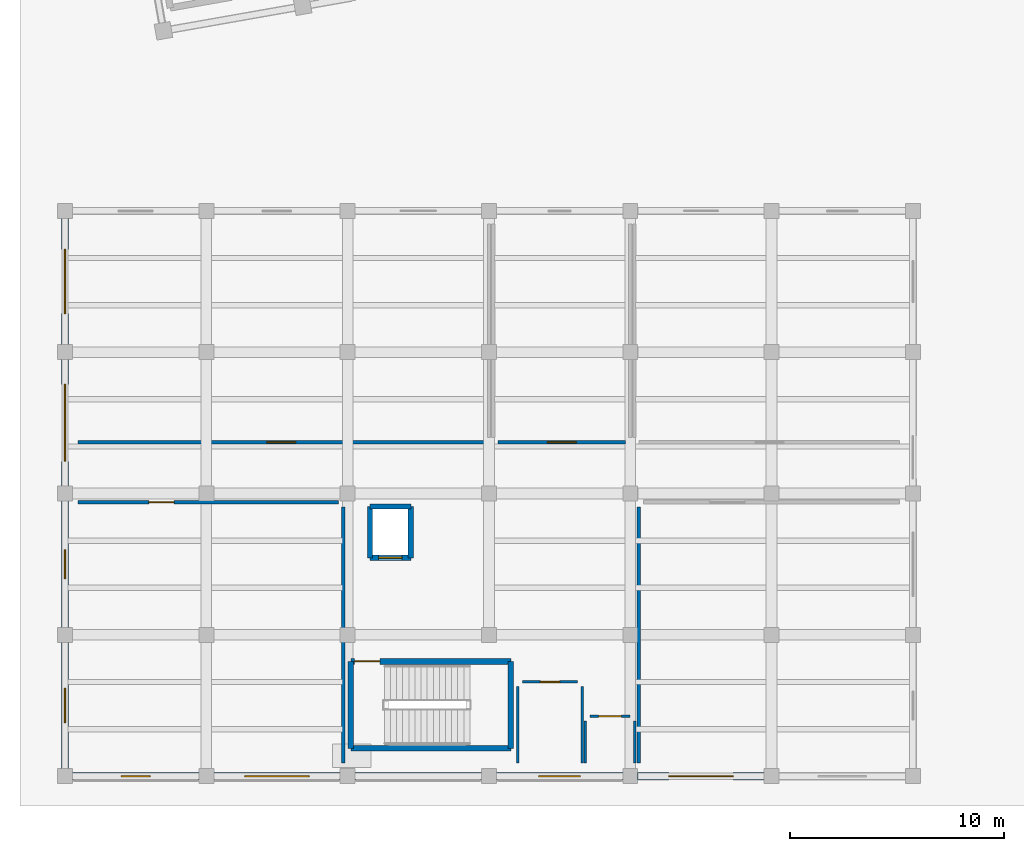
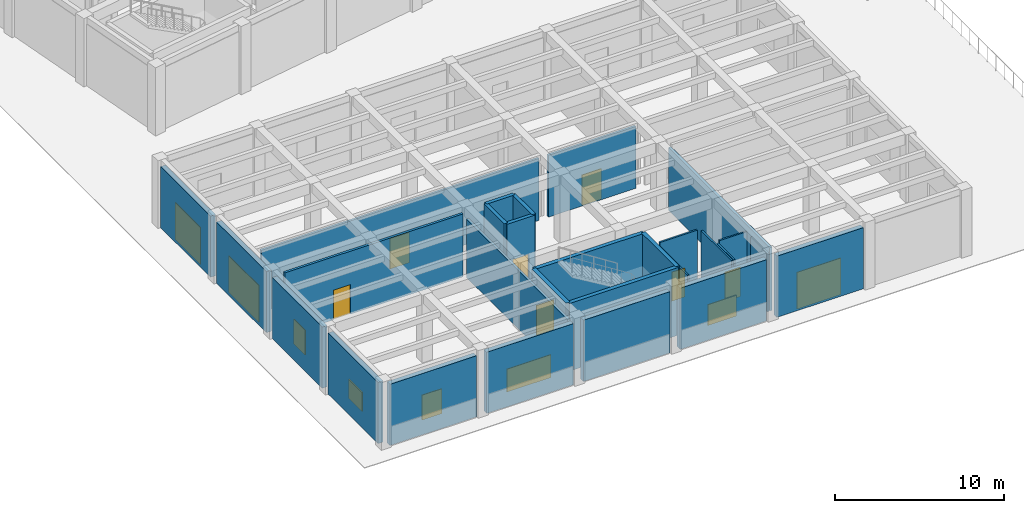
# One storey, part 41 of 57: 28 walls, 10 doors, 5 windows, 15 openings.
"""IFC4 building model written with IfcOpenShell, lengths in metres."""

from ifc_helpers import new_model, si_unit, direction, frame, frame_2d, origin, place, context, subcontext, project, spatial, rectangle, extrude, material, layer, layer_set, type_object, element, fill, save


model = new_model("IFC4")

# Units and contexts
model_context = context("Model", 3, precision=1e-05, world=origin(), true_north=direction((0.0, 1.0)))
body_context = subcontext(model_context, "Body", "Model", "MODEL_VIEW")
ifc_project = project(units=[si_unit("LENGTHUNIT", "METRE"), si_unit("AREAUNIT", "SQUARE_METRE"), si_unit("VOLUMEUNIT", "CUBIC_METRE"), si_unit("PLANEANGLEUNIT", "RADIAN"), si_unit("MASSUNIT", "GRAM", prefix="KILO")], contexts=[model_context])

# Site, building, storey
site_placement = place(None, origin())
site = spatial("IfcSite", under=ifc_project, at=site_placement, CompositionType="ELEMENT")
building_placement = place(site_placement, origin())
building = spatial("IfcBuilding", under=site, at=building_placement, Name="Kharisveld Research Institute", CompositionType="ELEMENT")
storey_placement = place(building_placement, origin())
storey = spatial("IfcBuildingStorey", under=building, at=storey_placement, Name="L00", CompositionType="ELEMENT", Elevation=0.0)

# Wall, opening, door
ifc_material_1 = material(Name="Flush Pharmaceutical Panel", Category="mineral")
ifc_layer_1 = layer(ifc_material_1, 0.155029296875)
ifc_layer_set_1 = layer_set([ifc_layer_1], Name="WL_CLN_155")
wall_type_1 = type_object("IfcWallType", Name="WL_CLN_155", PredefinedType="PARTITIONING", material=ifc_layer_set_1)
wall_1_placement = place(storey_placement, frame((1.219970703125, 15.800048828125, 0.0), z_axis=(0.0, 0.0, 1.0), x_axis=(1.0, 0.0, 0.0)))
wall_1 = element("IfcWall", 1, at=wall_1_placement, inside=storey, type_object=wall_type_1, Name="WL:RM:V3:L00:CR5:S", PredefinedType="PARTITIONING", context=body_context, shape_type="SweptSolid", body=[
    extrude(rectangle(XDim=18.9599609375, YDim=0.155029296875, at=frame_2d((9.47998046875, 0.0))), origin(), (0.0, 0.0, 1.0), 4.465087890625),
])
opening_1_placement = place(wall_1_placement, frame((8.81005859375, 0.0, 0.0)))
opening_1 = element("IfcOpeningElement", 2, at=opening_1_placement, cuts=wall_1, Name="Opening DI-271", PredefinedType="OPENING", context=body_context, shape_type="SweptSolid", body=[
    extrude(rectangle(XDim=1.340087890625, YDim=2.199951171875, at=frame_2d((0.669921875, 1.10009765625))), frame((0.0, 0.07763671875, 0.0), z_axis=(0.0, -1.0, 0.0), x_axis=(1.0, 0.0, 0.0)), (0.0, 0.0, 1.0), 0.155029296875),
])
ifc_material_2 = material(Name="Flush Painted Hardwood and Anodised Aluminium", Category="wood")
door_type_1 = type_object("IfcDoorType", Name="DR_CLN_134", OperationType="SLIDING_TO_RIGHT", PredefinedType="DOOR", material=ifc_material_2)
door_1_placement = place(opening_1_placement, origin())
door_1 = element("IfcDoor", 3, at=door_1_placement, inside=storey, type_object=door_type_1, Name="DR:RM:V3:L00:CR5:S", OperationType="SLIDING_TO_RIGHT", OverallHeight=2.199951171875, OverallWidth=1.340087890625, PredefinedType="DOOR", context=body_context, shape_type="SweptSolid", body=[
    extrude(rectangle(XDim=1.340087890625, YDim=2.199951171875, at=frame_2d((0.669921875, 1.10009765625))), frame((0.0, 0.02490234375, 0.0), z_axis=(0.0, -1.0, 0.0), x_axis=(1.0, 0.0, 0.0)), (0.0, 0.0, 1.0), 0.050048828125),
])
fill(opening_1, door_1)

wall_2_placement = place(storey_placement, frame((20.820068359375, 15.800048828125, 0.0), z_axis=(0.0, 0.0, 1.0), x_axis=(1.0, 0.0, 0.0)))
wall_2 = element("IfcWall", 4, at=wall_2_placement, inside=storey, type_object=wall_type_1, Name="WL:RM:V3:L00:GWN:S", PredefinedType="PARTITIONING", context=body_context, shape_type="SweptSolid", body=[
    extrude(rectangle(XDim=5.9599609375, YDim=0.155029296875, at=frame_2d((2.97998046875, 0.0))), origin(), (0.0, 0.0, 1.0), 4.465087890625),
])
opening_2_placement = place(wall_2_placement, frame((2.31005859375, 0.0, 0.0)))
opening_2 = element("IfcOpeningElement", 5, at=opening_2_placement, cuts=wall_2, Name="Opening DI-272", PredefinedType="OPENING", context=body_context, shape_type="SweptSolid", body=[
    extrude(rectangle(XDim=1.340087890625, YDim=2.199951171875, at=frame_2d((0.669921875, 1.10009765625))), frame((0.0, 0.07763671875, 0.0), z_axis=(0.0, -1.0, 0.0), x_axis=(1.0, 0.0, 0.0)), (0.0, 0.0, 1.0), 0.155029296875),
])
door_2_placement = place(opening_2_placement, origin())
door_2 = element("IfcDoor", 6, at=door_2_placement, inside=storey, type_object=door_type_1, Name="DR:RM:V3:L00:GWN:S", OperationType="SLIDING_TO_RIGHT", OverallHeight=2.199951171875, OverallWidth=1.340087890625, PredefinedType="DOOR", context=body_context, shape_type="SweptSolid", body=[
    extrude(rectangle(XDim=1.340087890625, YDim=2.199951171875, at=frame_2d((0.669921875, 1.10009765625))), frame((0.0, 0.02490234375, 0.0), z_axis=(0.0, -1.0, 0.0), x_axis=(1.0, 0.0, 0.0)), (0.0, 0.0, 1.0), 0.050048828125),
])
fill(opening_2, door_2)

# Walls
ifc_material_3 = material(Name="Concrete C40/50", Category="concrete")
ifc_layer_2 = layer(ifc_material_3, 0.239990234375)
ifc_layer_set_2 = layer_set([ifc_layer_2], Name="WL_CORE_240")
wall_type_2 = type_object("IfcWallType", Name="WL_CORE_240", PredefinedType="SHEAR", material=ifc_layer_set_2)
wall_3_placement = place(storey_placement, frame((14.85009765625, 10.39990234375, 0.0), z_axis=(0.0, 0.0, 1.0), x_axis=(0.0, 1.0, 0.0)))
element("IfcWall", 7, at=wall_3_placement, inside=storey, type_object=wall_type_2, Name="WL:LFT:PL-03:L00:W", PredefinedType="SHEAR", context=body_context, shape_type="SweptSolid", body=[
    extrude(rectangle(XDim=2.400146484375, YDim=0.239990234375, at=frame_2d((1.2001953125, 0.0))), origin(), (0.0, 0.0, 1.0), 4.8798828125),
])
wall_4_placement = place(storey_placement, frame((14.85009765625, 12.800048828125, 0.0), z_axis=(0.0, 0.0, 1.0), x_axis=(1.0, 0.0, 0.0)))
element("IfcWall", 8, at=wall_4_placement, inside=storey, type_object=wall_type_2, Name="WL:LFT:PL-03:L00:N", PredefinedType="SHEAR", context=body_context, shape_type="SweptSolid", body=[
    extrude(rectangle(XDim=1.89990234375, YDim=0.239990234375, at=frame_2d((0.949951171875, 0.0))), origin(), (0.0, 0.0, 1.0), 4.8798828125),
])
wall_5_placement = place(storey_placement, frame((16.75, 12.800048828125, 0.0), z_axis=(0.0, 0.0, 1.0), x_axis=(0.0, -1.0, 0.0)))
element("IfcWall", 9, at=wall_5_placement, inside=storey, type_object=wall_type_2, Name="WL:LFT:PL-03:L00:E", PredefinedType="SHEAR", context=body_context, shape_type="SweptSolid", body=[
    extrude(rectangle(XDim=2.400146484375, YDim=0.239990234375, at=frame_2d((1.2001953125, 0.0))), origin(), (0.0, 0.0, 1.0), 4.8798828125),
])

# Wall, opening, door
wall_6_placement = place(storey_placement, frame((16.75, 10.39990234375, 0.0), z_axis=(0.0, 0.0, 1.0), x_axis=(-1.0, 0.0, 0.0)))
wall_6 = element("IfcWall", 10, at=wall_6_placement, inside=storey, type_object=wall_type_2, Name="WL:LFT:PL-03:L00:S", PredefinedType="SHEAR", context=body_context, shape_type="SweptSolid", body=[
    extrude(rectangle(XDim=1.89990234375, YDim=0.239990234375, at=frame_2d((0.949951171875, 0.0))), origin(), (0.0, 0.0, 1.0), 4.8798828125),
])
opening_3_placement = place(wall_6_placement, frame((0.39990234375, 0.0, 0.0)))
opening_3 = element("IfcOpeningElement", 11, at=opening_3_placement, cuts=wall_6, Name="Opening LD-01", PredefinedType="OPENING", context=body_context, shape_type="SweptSolid", body=[
    extrude(rectangle(XDim=1.10009765625, YDim=2.199951171875, at=frame_2d((0.550048828125, 1.10009765625))), frame((0.0, 0.1201171875, 0.0), z_axis=(0.0, -1.0, 0.0), x_axis=(1.0, 0.0, 0.0)), (0.0, 0.0, 1.0), 0.239990234375),
])
ifc_material_4 = material(Name="Flush Painted Hardwood and Anodised Aluminium", Category="wood")
door_type_2 = type_object("IfcDoorType", Name="DR_LFT_110", OperationType="SLIDING_TO_LEFT", PredefinedType="DOOR", material=ifc_material_4)
door_3_placement = place(opening_3_placement, origin())
door_3 = element("IfcDoor", 12, at=door_3_placement, inside=storey, type_object=door_type_2, Name="PL-03 Lift Landing Door L00", OperationType="SLIDING_TO_LEFT", OverallHeight=2.199951171875, OverallWidth=1.10009765625, PredefinedType="DOOR", context=body_context, shape_type="SweptSolid", body=[
    extrude(rectangle(XDim=1.10009765625, YDim=2.199951171875, at=frame_2d((0.550048828125, 1.10009765625))), frame((0.0, 0.02490234375, 0.0), z_axis=(0.0, -1.0, 0.0), x_axis=(1.0, 0.0, 0.0)), (0.0, 0.0, 1.0), 0.050048828125),
])
fill(opening_3, door_3)

# Wall
ifc_material_5 = material(Name="Concrete C40/50", Category="concrete")
ifc_layer_3 = layer(ifc_material_5, 0.27001953125)
ifc_layer_set_3 = layer_set([ifc_layer_3], Name="WL_CORE_270")
wall_type_3 = type_object("IfcWallType", Name="WL_CORE_270", PredefinedType="SHEAR", material=ifc_layer_set_3)
wall_7_placement = place(storey_placement, frame((13.949951171875, 1.5, 0.0), z_axis=(0.0, 0.0, 1.0), x_axis=(0.0, 1.0, 0.0)))
element("IfcWall", 13, at=wall_7_placement, inside=storey, type_object=wall_type_3, Name="WL:STR:ST4:L00:W", PredefinedType="SHEAR", context=body_context, shape_type="SweptSolid", body=[
    extrude(rectangle(XDim=4.06005859375, YDim=0.27001953125, at=frame_2d((2.030029296875, 0.0))), origin(), (0.0, 0.0, 1.0), 4.8798828125),
])

# Wall, opening, door
wall_8_placement = place(storey_placement, frame((13.949951171875, 5.56005859375, 0.0), z_axis=(0.0, 0.0, 1.0), x_axis=(1.0, 0.0, 0.0)))
wall_8 = element("IfcWall", 14, at=wall_8_placement, inside=storey, type_object=wall_type_3, Name="WL:STR:ST4:L00:N", PredefinedType="SHEAR", context=body_context, shape_type="SweptSolid", body=[
    extrude(rectangle(XDim=7.469970703125, YDim=0.27001953125, at=frame_2d((3.73486328125, 0.0))), origin(), (0.0, 0.0, 1.0), 4.8798828125),
])
opening_4_placement = place(wall_8_placement, frame((0.179931640625, 0.0, 0.0)))
opening_4 = element("IfcOpeningElement", 15, at=opening_4_placement, cuts=wall_8, Name="Opening DS-037", PredefinedType="OPENING", context=body_context, shape_type="SweptSolid", body=[
    extrude(rectangle(XDim=1.179931640625, YDim=2.14990234375, at=frame_2d((0.58984375, 1.074951171875))), frame((0.0, 0.135009765625, 0.0), z_axis=(0.0, -1.0, 0.0), x_axis=(1.0, 0.0, 0.0)), (0.0, 0.0, 1.0), 0.27001953125),
])
ifc_material_6 = material(Name="Flush Painted Hardwood and Anodised Aluminium", Category="wood")
door_type_3 = type_object("IfcDoorType", Name="DR_FD60_118", OperationType="NOTDEFINED", PredefinedType="DOOR", material=ifc_material_6)
door_4_placement = place(opening_4_placement, origin())
door_4 = element("IfcDoor", 16, at=door_4_placement, inside=storey, type_object=door_type_3, Name="DR:STR:ST4:L00", OperationType="SINGLE_SWING_RIGHT", OverallHeight=2.14990234375, OverallWidth=1.179931640625, PredefinedType="DOOR", context=body_context, shape_type="SweptSolid", body=[
    extrude(rectangle(XDim=1.179931640625, YDim=2.14990234375, at=frame_2d((0.58984375, 1.074951171875))), frame((0.0, 0.02490234375, 0.0), z_axis=(0.0, -1.0, 0.0), x_axis=(1.0, 0.0, 0.0)), (0.0, 0.0, 1.0), 0.050048828125),
])
fill(opening_4, door_4)

# Walls
wall_9_placement = place(storey_placement, frame((21.419921875, 5.56005859375, 0.0), z_axis=(0.0, 0.0, 1.0), x_axis=(0.0, -1.0, 0.0)))
element("IfcWall", 17, at=wall_9_placement, inside=storey, type_object=wall_type_3, Name="WL:STR:ST4:L00:E", PredefinedType="SHEAR", context=body_context, shape_type="SweptSolid", body=[
    extrude(rectangle(XDim=4.06005859375, YDim=0.27001953125, at=frame_2d((2.030029296875, 0.0))), origin(), (0.0, 0.0, 1.0), 4.8798828125),
])
wall_10_placement = place(storey_placement, frame((21.419921875, 1.5, 0.0), z_axis=(0.0, 0.0, 1.0), x_axis=(-1.0, 0.0, 0.0)))
element("IfcWall", 18, at=wall_10_placement, inside=storey, type_object=wall_type_3, Name="WL:STR:ST4:L00:S", PredefinedType="SHEAR", context=body_context, shape_type="SweptSolid", body=[
    extrude(rectangle(XDim=7.469970703125, YDim=0.27001953125, at=frame_2d((3.73486328125, 0.0))), origin(), (0.0, 0.0, 1.0), 4.8798828125),
])

# Wall, opening, window
ifc_material_7 = material(Name="Concrete C35/45", Category="concrete")
ifc_layer_4 = layer(ifc_material_7, 0.340087890625)
ifc_layer_set_4 = layer_set([ifc_layer_4], Name="WL_EXT_340")
wall_type_4 = type_object("IfcWallType", Name="WL_EXT_340", PredefinedType="SOLIDWALL", material=ifc_layer_set_4)
wall_11_placement = place(storey_placement, frame((0.60009765625, 0.544921875, 0.0), z_axis=(0.0, 0.0, 1.0), x_axis=(0.0, 1.0, 0.0)))
wall_11 = element("IfcWall", 19, at=wall_11_placement, inside=storey, type_object=wall_type_4, Name="WL:V3:L00:W0", PredefinedType="SOLIDWALL", context=body_context, shape_type="SweptSolid", body=[
    extrude(rectangle(XDim=5.91015625, YDim=0.340087890625, at=frame_2d((2.955078125, 0.0))), origin(), (0.0, 0.0, 1.0), 4.4150390625),
])
opening_5_placement = place(wall_11_placement, frame((2.155029296875, 0.0, 0.949951171875)))
opening_5 = element("IfcOpeningElement", 20, at=opening_5_placement, cuts=wall_11, Name="Opening WN-08", PredefinedType="OPENING", context=body_context, shape_type="SweptSolid", body=[
    extrude(rectangle(XDim=1.60009765625, YDim=1.39990234375, at=frame_2d((0.800048828125, 0.699951171875))), frame((0.0, 0.169921875, 0.0), z_axis=(0.0, -1.0, 0.0), x_axis=(1.0, 0.0, 0.0)), (0.0, 0.0, 1.0), 0.340087890625),
])
ifc_material_8 = material(Name="Low-E Double Glazing", Category="glass")
window_type_1 = type_object("IfcWindowType", Name="WN_08", PartitioningType="DOUBLE_PANEL_VERTICAL", PredefinedType="WINDOW", material=ifc_material_8)
window_1_placement = place(opening_5_placement, origin())
window_1 = element("IfcWindow", 21, at=window_1_placement, inside=storey, type_object=window_type_1, Name="WN:V3:L00:W0", OverallHeight=1.39990234375, OverallWidth=1.60009765625, PartitioningType="SINGLE_PANEL", PredefinedType="WINDOW", context=body_context, shape_type="SweptSolid", body=[
    extrude(rectangle(XDim=1.60009765625, YDim=1.39990234375, at=frame_2d((0.800048828125, 0.699951171875))), frame((0.0, 0.030029296875, 0.0), z_axis=(0.0, -1.0, 0.0), x_axis=(1.0, 0.0, 0.0)), (0.0, 0.0, 1.0), 0.06005859375),
])
fill(opening_5, window_1)

wall_12_placement = place(storey_placement, frame((0.60009765625, 7.14501953125, 0.0), z_axis=(0.0, 0.0, 1.0), x_axis=(0.0, 1.0, 0.0)))
wall_12 = element("IfcWall", 22, at=wall_12_placement, inside=storey, type_object=wall_type_4, Name="WL:V3:L00:W1", PredefinedType="SOLIDWALL", context=body_context, shape_type="SweptSolid", body=[
    extrude(rectangle(XDim=5.909912109375, YDim=0.340087890625, at=frame_2d((2.955078125, 0.0))), origin(), (0.0, 0.0, 1.0), 4.4150390625),
])
opening_6_placement = place(wall_12_placement, frame((2.280029296875, 0.0, 0.949951171875)))
opening_6 = element("IfcOpeningElement", 23, at=opening_6_placement, cuts=wall_12, Name="Opening WN-09", PredefinedType="OPENING", context=body_context, shape_type="SweptSolid", body=[
    extrude(rectangle(XDim=1.35009765625, YDim=1.800048828125, at=frame_2d((0.675048828125, 0.89990234375))), frame((0.0, 0.169921875, 0.0), z_axis=(0.0, -1.0, 0.0), x_axis=(1.0, 0.0, 0.0)), (0.0, 0.0, 1.0), 0.340087890625),
])
ifc_material_9 = material(Name="Low-E Double Glazing", Category="glass")
window_type_2 = type_object("IfcWindowType", Name="WN_09", PartitioningType="SINGLE_PANEL", PredefinedType="WINDOW", material=ifc_material_9)
window_2_placement = place(opening_6_placement, origin())
window_2 = element("IfcWindow", 24, at=window_2_placement, inside=storey, type_object=window_type_2, Name="WN:V3:L00:W1", OverallHeight=1.800048828125, OverallWidth=1.35009765625, PartitioningType="SINGLE_PANEL", PredefinedType="WINDOW", context=body_context, shape_type="SweptSolid", body=[
    extrude(rectangle(XDim=1.35009765625, YDim=1.800048828125, at=frame_2d((0.675048828125, 0.89990234375))), frame((0.0, 0.030029296875, 0.0), z_axis=(0.0, -1.0, 0.0), x_axis=(1.0, 0.0, 0.0)), (0.0, 0.0, 1.0), 0.06005859375),
])
fill(opening_6, window_2)

# Wall, opening, door
wall_13_placement = place(storey_placement, frame((0.60009765625, 13.7451171875, 0.0), z_axis=(0.0, 0.0, 1.0), x_axis=(0.0, 1.0, 0.0)))
wall_13 = element("IfcWall", 25, at=wall_13_placement, inside=storey, type_object=wall_type_4, Name="WL:V3:L00:W2", PredefinedType="SOLIDWALL", context=body_context, shape_type="SweptSolid", body=[
    extrude(rectangle(XDim=5.909912109375, YDim=0.340087890625, at=frame_2d((2.955078125, 0.0))), origin(), (0.0, 0.0, 1.0), 4.4150390625),
])
opening_7_placement = place(wall_13_placement, frame((1.155029296875, 0.0, 0.0)))
opening_7 = element("IfcOpeningElement", 26, at=opening_7_placement, cuts=wall_13, Name="Opening VG-01", PredefinedType="OPENING", context=body_context, shape_type="SweptSolid", body=[
    extrude(rectangle(XDim=3.60009765625, YDim=2.64990234375, at=frame_2d((1.800048828125, 1.324951171875))), frame((0.0, 0.169921875, 0.0), z_axis=(0.0, -1.0, 0.0), x_axis=(1.0, 0.0, 0.0)), (0.0, 0.0, 1.0), 0.340087890625),
])
ifc_material_10 = material(Name="Thermally Broken Powder-Coated Aluminium", Category="aluminium")
door_type_4 = type_object("IfcDoorType", Name="GT_SHU_360", OperationType="ROLLINGUP", PredefinedType="GATE", material=ifc_material_10)
door_5_placement = place(opening_7_placement, origin())
door_5 = element("IfcDoor", 27, at=door_5_placement, inside=storey, type_object=door_type_4, Name="VG-01 Roller Shutter Gate", OperationType="ROLLINGUP", OverallHeight=2.64990234375, OverallWidth=3.60009765625, PredefinedType="GATE", context=body_context, shape_type="SweptSolid", body=[
    extrude(rectangle(XDim=3.60009765625, YDim=2.64990234375, at=frame_2d((1.800048828125, 1.324951171875))), frame((0.0, 0.02490234375, 0.0), z_axis=(0.0, -1.0, 0.0), x_axis=(1.0, 0.0, 0.0)), (0.0, 0.0, 1.0), 0.050048828125),
])
fill(opening_7, door_5)

wall_14_placement = place(storey_placement, frame((0.60009765625, 20.344970703125, 0.0), z_axis=(0.0, 0.0, 1.0), x_axis=(0.0, 1.0, 0.0)))
wall_14 = element("IfcWall", 28, at=wall_14_placement, inside=storey, type_object=wall_type_4, Name="WL:V3:L00:W3", PredefinedType="SOLIDWALL", context=body_context, shape_type="SweptSolid", body=[
    extrude(rectangle(XDim=5.909912109375, YDim=0.340087890625, at=frame_2d((2.955078125, 0.0))), origin(), (0.0, 0.0, 1.0), 4.4150390625),
])
opening_8_placement = place(wall_14_placement, frame((1.455078125, 0.0, 0.0)))
opening_8 = element("IfcOpeningElement", 29, at=opening_8_placement, cuts=wall_14, Name="Opening VG-02", PredefinedType="OPENING", context=body_context, shape_type="SweptSolid", body=[
    extrude(rectangle(XDim=3.0, YDim=2.64990234375, at=frame_2d((1.5, 1.324951171875))), frame((0.0, 0.169921875, 0.0), z_axis=(0.0, -1.0, 0.0), x_axis=(1.0, 0.0, 0.0)), (0.0, 0.0, 1.0), 0.340087890625),
])
ifc_material_11 = material(Name="Thermally Broken Powder-Coated Aluminium", Category="aluminium")
door_type_5 = type_object("IfcDoorType", Name="GT_SHU_300", OperationType="ROLLINGUP", PredefinedType="GATE", material=ifc_material_11)
door_6_placement = place(opening_8_placement, origin())
door_6 = element("IfcDoor", 30, at=door_6_placement, inside=storey, type_object=door_type_5, Name="VG-02 Roller Shutter Gate", OperationType="ROLLINGUP", OverallHeight=2.64990234375, OverallWidth=3.0, PredefinedType="GATE", context=body_context, shape_type="SweptSolid", body=[
    extrude(rectangle(XDim=3.0, YDim=2.64990234375, at=frame_2d((1.5, 1.324951171875))), frame((0.0, 0.02490234375, 0.0), z_axis=(0.0, -1.0, 0.0), x_axis=(1.0, 0.0, 0.0)), (0.0, 0.0, 1.0), 0.050048828125),
])
fill(opening_8, door_6)

wall_15_placement = place(storey_placement, frame((33.2548828125, 0.199951171875, 0.0), z_axis=(0.0, 0.0, 1.0), x_axis=(-1.0, 0.0, 0.0)))
wall_15 = element("IfcWall", 31, at=wall_15_placement, inside=storey, type_object=wall_type_4, Name="WL:V3:L00:S5", PredefinedType="SOLIDWALL", context=body_context, shape_type="SweptSolid", body=[
    extrude(rectangle(XDim=5.909912109375, YDim=0.340087890625, at=frame_2d((2.955078125, 0.0))), origin(), (0.0, 0.0, 1.0), 4.4150390625),
])
opening_9_placement = place(wall_15_placement, frame((1.455078125, 0.0, 0.0)))
opening_9 = element("IfcOpeningElement", 32, at=opening_9_placement, cuts=wall_15, Name="Opening SG-01", PredefinedType="OPENING", context=body_context, shape_type="SweptSolid", body=[
    extrude(rectangle(XDim=3.0, YDim=2.64990234375, at=frame_2d((1.5, 1.324951171875))), frame((0.0, 0.169921875, 0.0), z_axis=(0.0, -1.0, 0.0), x_axis=(1.0, 0.0, 0.0)), (0.0, 0.0, 1.0), 0.340087890625),
])
door_7_placement = place(opening_9_placement, origin())
door_7 = element("IfcDoor", 33, at=door_7_placement, inside=storey, type_object=door_type_5, Name="SG-01 Roller Shutter Gate", OperationType="ROLLINGUP", OverallHeight=2.64990234375, OverallWidth=3.0, PredefinedType="GATE", context=body_context, shape_type="SweptSolid", body=[
    extrude(rectangle(XDim=3.0, YDim=2.64990234375, at=frame_2d((1.5, 1.324951171875))), frame((0.0, 0.02490234375, 0.0), z_axis=(0.0, -1.0, 0.0), x_axis=(1.0, 0.0, 0.0)), (0.0, 0.0, 1.0), 0.050048828125),
])
fill(opening_9, door_7)

# Wall, opening, window
wall_16_placement = place(storey_placement, frame((26.655029296875, 0.199951171875, 0.0), z_axis=(0.0, 0.0, 1.0), x_axis=(-1.0, 0.0, 0.0)))
wall_16 = element("IfcWall", 34, at=wall_16_placement, inside=storey, type_object=wall_type_4, Name="WL:V3:L00:S4", PredefinedType="SOLIDWALL", context=body_context, shape_type="SweptSolid", body=[
    extrude(rectangle(XDim=5.909912109375, YDim=0.340087890625, at=frame_2d((2.955078125, 0.0))), origin(), (0.0, 0.0, 1.0), 4.4150390625),
])
opening_10_placement = place(wall_16_placement, frame((1.97998046875, 0.0, 0.949951171875)))
opening_10 = element("IfcOpeningElement", 35, at=opening_10_placement, cuts=wall_16, Name="Opening WN-12", PredefinedType="OPENING", context=body_context, shape_type="SweptSolid", body=[
    extrude(rectangle(XDim=1.949951171875, YDim=1.5, at=frame_2d((0.97509765625, 0.75))), frame((0.0, 0.169921875, 0.0), z_axis=(0.0, -1.0, 0.0), x_axis=(1.0, 0.0, 0.0)), (0.0, 0.0, 1.0), 0.340087890625),
])
ifc_material_12 = material(Name="Low-E Double Glazing", Category="glass")
window_type_3 = type_object("IfcWindowType", Name="WN_12", PartitioningType="DOUBLE_PANEL_VERTICAL", PredefinedType="WINDOW", material=ifc_material_12)
window_3_placement = place(opening_10_placement, origin())
window_3 = element("IfcWindow", 36, at=window_3_placement, inside=storey, type_object=window_type_3, Name="WN:V3:L00:S4", OverallHeight=1.5, OverallWidth=1.949951171875, PartitioningType="SINGLE_PANEL", PredefinedType="WINDOW", context=body_context, shape_type="SweptSolid", body=[
    extrude(rectangle(XDim=1.949951171875, YDim=1.5, at=frame_2d((0.97509765625, 0.75))), frame((0.0, 0.030029296875, 0.0), z_axis=(0.0, -1.0, 0.0), x_axis=(1.0, 0.0, 0.0)), (0.0, 0.0, 1.0), 0.06005859375),
])
fill(opening_10, window_3)

# Wall
wall_17_placement = place(storey_placement, frame((20.054931640625, 0.199951171875, 0.0), z_axis=(0.0, 0.0, 1.0), x_axis=(-1.0, 0.0, 0.0)))
element("IfcWall", 37, at=wall_17_placement, inside=storey, type_object=wall_type_4, Name="WL:V3:L00:S3", PredefinedType="SOLIDWALL", context=body_context, shape_type="SweptSolid", body=[
    extrude(rectangle(XDim=5.909912109375, YDim=0.340087890625, at=frame_2d((2.955078125, 0.0))), origin(), (0.0, 0.0, 1.0), 4.4150390625),
])

# Wall, opening, window
wall_18_placement = place(storey_placement, frame((13.455078125, 0.199951171875, 0.0), z_axis=(0.0, 0.0, 1.0), x_axis=(-1.0, 0.0, 0.0)))
wall_18 = element("IfcWall", 38, at=wall_18_placement, inside=storey, type_object=wall_type_4, Name="WL:V3:L00:S2", PredefinedType="SOLIDWALL", context=body_context, shape_type="SweptSolid", body=[
    extrude(rectangle(XDim=5.91015625, YDim=0.340087890625, at=frame_2d((2.955078125, 0.0))), origin(), (0.0, 0.0, 1.0), 4.4150390625),
])
opening_11_placement = place(wall_18_placement, frame((1.455078125, 0.0, 0.949951171875)))
opening_11 = element("IfcOpeningElement", 39, at=opening_11_placement, cuts=wall_18, Name="Opening WN-10", PredefinedType="OPENING", context=body_context, shape_type="SweptSolid", body=[
    extrude(rectangle(XDim=3.0, YDim=1.64990234375, at=frame_2d((1.5, 0.824951171875))), frame((0.0, 0.169921875, 0.0), z_axis=(0.0, -1.0, 0.0), x_axis=(1.0, 0.0, 0.0)), (0.0, 0.0, 1.0), 0.340087890625),
])
ifc_material_13 = material(Name="Low-E Double Glazing", Category="glass")
window_type_4 = type_object("IfcWindowType", Name="WN_10", PartitioningType="TRIPLE_PANEL_VERTICAL", PredefinedType="WINDOW", material=ifc_material_13)
window_4_placement = place(opening_11_placement, origin())
window_4 = element("IfcWindow", 40, at=window_4_placement, inside=storey, type_object=window_type_4, Name="WN:V3:L00:S2", OverallHeight=1.64990234375, OverallWidth=3.0, PartitioningType="SINGLE_PANEL", PredefinedType="WINDOW", context=body_context, shape_type="SweptSolid", body=[
    extrude(rectangle(XDim=3.0, YDim=1.64990234375, at=frame_2d((1.5, 0.824951171875))), frame((0.0, 0.030029296875, 0.0), z_axis=(0.0, -1.0, 0.0), x_axis=(1.0, 0.0, 0.0)), (0.0, 0.0, 1.0), 0.06005859375),
])
fill(opening_11, window_4)

wall_19_placement = place(storey_placement, frame((6.85498046875, 0.199951171875, 0.0), z_axis=(0.0, 0.0, 1.0), x_axis=(-1.0, 0.0, 0.0)))
wall_19 = element("IfcWall", 41, at=wall_19_placement, inside=storey, type_object=wall_type_4, Name="WL:V3:L00:S1", PredefinedType="SOLIDWALL", context=body_context, shape_type="SweptSolid", body=[
    extrude(rectangle(XDim=5.909912109375, YDim=0.340087890625, at=frame_2d((2.955078125, 0.0))), origin(), (0.0, 0.0, 1.0), 4.4150390625),
])
opening_12_placement = place(wall_19_placement, frame((2.280029296875, 0.0, 0.949951171875)))
opening_12 = element("IfcOpeningElement", 42, at=opening_12_placement, cuts=wall_19, Name="Opening WN-09", PredefinedType="OPENING", context=body_context, shape_type="SweptSolid", body=[
    extrude(rectangle(XDim=1.35009765625, YDim=1.800048828125, at=frame_2d((0.675048828125, 0.89990234375))), frame((0.0, 0.169921875, 0.0), z_axis=(0.0, -1.0, 0.0), x_axis=(1.0, 0.0, 0.0)), (0.0, 0.0, 1.0), 0.340087890625),
])
window_5_placement = place(opening_12_placement, origin())
window_5 = element("IfcWindow", 43, at=window_5_placement, inside=storey, type_object=window_type_2, Name="WN:V3:L00:S1", OverallHeight=1.800048828125, OverallWidth=1.35009765625, PartitioningType="SINGLE_PANEL", PredefinedType="WINDOW", context=body_context, shape_type="SweptSolid", body=[
    extrude(rectangle(XDim=1.35009765625, YDim=1.800048828125, at=frame_2d((0.675048828125, 0.89990234375))), frame((0.0, 0.030029296875, 0.0), z_axis=(0.0, -1.0, 0.0), x_axis=(1.0, 0.0, 0.0)), (0.0, 0.0, 1.0), 0.06005859375),
])
fill(opening_12, window_5)

# Wall
ifc_material_14 = material(Name="Acoustic Drywall Partition", Category="mineral")
ifc_layer_5 = layer(ifc_material_14, 0.1650390625)
ifc_layer_set_5 = layer_set([ifc_layer_5], Name="WL_LAB_165")
wall_type_5 = type_object("IfcWallType", Name="WL_LAB_165", PredefinedType="PARTITIONING", material=ifc_layer_set_5)
wall_20_placement = place(storey_placement, frame((13.60009765625, 0.820068359375, 0.0), z_axis=(0.0, 0.0, 1.0), x_axis=(0.0, 1.0, 0.0)))
element("IfcWall", 44, at=wall_20_placement, inside=storey, type_object=wall_type_5, Name="WL:RM:V3:L00:EM0:E", PredefinedType="PARTITIONING", context=body_context, shape_type="SweptSolid", body=[
    extrude(rectangle(XDim=11.9599609375, YDim=0.1650390625, at=frame_2d((5.97998046875, 0.0))), origin(), (0.0, 0.0, 1.0), 4.215087890625),
])

# Wall, opening, door
wall_21_placement = place(storey_placement, frame((13.3798828125, 13.0, 0.0), z_axis=(0.0, 0.0, 1.0), x_axis=(-1.0, 0.0, 0.0)))
wall_21 = element("IfcWall", 45, at=wall_21_placement, inside=storey, type_object=wall_type_5, Name="WL:RM:V3:L00:EM0:N", PredefinedType="PARTITIONING", context=body_context, shape_type="SweptSolid", body=[
    extrude(rectangle(XDim=12.159912109375, YDim=0.1650390625, at=frame_2d((6.080078125, 0.0))), origin(), (0.0, 0.0, 1.0), 4.550048828125),
])
opening_13_placement = place(wall_21_placement, frame((7.68603515625, 0.0, 0.0)))
opening_13 = element("IfcOpeningElement", 46, at=opening_13_placement, cuts=wall_21, Name="Opening DI-274", PredefinedType="OPENING", context=body_context, shape_type="SweptSolid", body=[
    extrude(rectangle(XDim=1.179931640625, YDim=2.139892578125, at=frame_2d((0.58984375, 1.06982421875))), frame((0.0, 0.08251953125, 0.0), z_axis=(0.0, -1.0, 0.0), x_axis=(1.0, 0.0, 0.0)), (0.0, 0.0, 1.0), 0.1650390625),
])
ifc_material_15 = material(Name="Flush Painted Hardwood and Anodised Aluminium", Category="wood")
door_type_6 = type_object("IfcDoorType", Name="DR_VAR_10", OperationType="NOTDEFINED", PredefinedType="DOOR", material=ifc_material_15)
door_8_placement = place(opening_13_placement, origin())
door_8 = element("IfcDoor", 47, at=door_8_placement, inside=storey, type_object=door_type_6, Name="DR:RM:V3:L00:EM0:N", OperationType="SINGLE_SWING_LEFT", OverallHeight=2.139892578125, OverallWidth=1.179931640625, PredefinedType="DOOR", context=body_context, shape_type="SweptSolid", body=[
    extrude(rectangle(XDim=1.179931640625, YDim=2.139892578125, at=frame_2d((0.58984375, 1.06982421875))), frame((0.0, 0.02490234375, 0.0), z_axis=(0.0, -1.0, 0.0), x_axis=(1.0, 0.0, 0.0)), (0.0, 0.0, 1.0), 0.050048828125),
])
fill(opening_13, door_8)

# Walls
ifc_material_16 = material(Name="Masonry Blockwork", Category="masonry")
ifc_layer_6 = layer(ifc_material_16, 0.175048828125)
ifc_layer_set_6 = layer_set([ifc_layer_6], Name="WL_STR_175")
wall_type_6 = type_object("IfcWallType", Name="WL_STR_175", PredefinedType="SOLIDWALL", material=ifc_layer_set_6)
wall_22_placement = place(storey_placement, frame((27.39990234375, 12.780029296875, 0.0), z_axis=(0.0, 0.0, 1.0), x_axis=(0.0, -1.0, 0.0)))
element("IfcWall", 48, at=wall_22_placement, inside=storey, type_object=wall_type_6, Name="WL:RM:V3:L00:STR0:W", PredefinedType="SOLIDWALL", context=body_context, shape_type="SweptSolid", body=[
    extrude(rectangle(XDim=11.9599609375, YDim=0.175048828125, at=frame_2d((5.97998046875, 0.0))), origin(), (0.0, 0.0, 1.0), 4.550048828125),
])
ifc_material_17 = material(Name="Moisture-Resistant Partition", Category="mineral")
ifc_layer_7 = layer(ifc_material_17, 0.114990234375)
ifc_layer_set_7 = layer_set([ifc_layer_7], Name="WL_WC_115")
wall_type_7 = type_object("IfcWallType", Name="WL_WC_115", PredefinedType="PARTITIONING", material=ifc_layer_set_7)
wall_23_placement = place(storey_placement, frame((24.75, 0.820068359375, 0.0), z_axis=(0.0, 0.0, 1.0), x_axis=(0.0, 1.0, 0.0)))
element("IfcWall", 49, at=wall_23_placement, inside=storey, type_object=wall_type_7, Name="WL:RM:V3:L00:WCM:E", PredefinedType="PARTITIONING", context=body_context, shape_type="SweptSolid", body=[
    extrude(rectangle(XDim=3.559814453125, YDim=0.114990234375, at=frame_2d((1.77978515625, 0.0))), origin(), (0.0, 0.0, 1.0), 4.550048828125),
])

# Wall, opening, door
wall_24_placement = place(storey_placement, frame((24.530029296875, 4.60009765625, 0.0), z_axis=(0.0, 0.0, 1.0), x_axis=(-1.0, 0.0, 0.0)))
wall_24 = element("IfcWall", 50, at=wall_24_placement, inside=storey, type_object=wall_type_7, Name="WL:RM:V3:L00:WCM:N", PredefinedType="PARTITIONING", context=body_context, shape_type="SweptSolid", body=[
    extrude(rectangle(XDim=2.56005859375, YDim=0.114990234375, at=frame_2d((1.280029296875, 0.0))), origin(), (0.0, 0.0, 1.0), 4.550048828125),
])
opening_14_placement = place(wall_24_placement, frame((0.830078125, 0.0, 0.0)))
opening_14 = element("IfcOpeningElement", 51, at=opening_14_placement, cuts=wall_24, Name="Opening DI-269", PredefinedType="OPENING", context=body_context, shape_type="SweptSolid", body=[
    extrude(rectangle(XDim=0.89990234375, YDim=2.10009765625, at=frame_2d((0.449951171875, 1.050048828125))), frame((0.0, 0.0576171875, 0.0), z_axis=(0.0, -1.0, 0.0), x_axis=(1.0, 0.0, 0.0)), (0.0, 0.0, 1.0), 0.114990234375),
])
ifc_material_18 = material(Name="Flush Painted Hardwood and Anodised Aluminium", Category="wood")
door_type_7 = type_object("IfcDoorType", Name="DR_WC_090", OperationType="NOTDEFINED", PredefinedType="DOOR", material=ifc_material_18)
door_9_placement = place(opening_14_placement, origin())
door_9 = element("IfcDoor", 52, at=door_9_placement, inside=storey, type_object=door_type_7, Name="DR:RM:V3:L00:WCM:N", OperationType="SINGLE_SWING_LEFT", OverallHeight=2.10009765625, OverallWidth=0.89990234375, PredefinedType="DOOR", context=body_context, shape_type="SweptSolid", body=[
    extrude(rectangle(XDim=0.89990234375, YDim=2.10009765625, at=frame_2d((0.449951171875, 1.050048828125))), frame((0.0, 0.02490234375, 0.0), z_axis=(0.0, -1.0, 0.0), x_axis=(1.0, 0.0, 0.0)), (0.0, 0.0, 1.0), 0.050048828125),
])
fill(opening_14, door_9)

# Walls
wall_25_placement = place(storey_placement, frame((21.75, 4.3798828125, 0.0), z_axis=(0.0, 0.0, 1.0), x_axis=(0.0, -1.0, 0.0)))
element("IfcWall", 53, at=wall_25_placement, inside=storey, type_object=wall_type_7, Name="WL:RM:V3:L00:WCM:W", PredefinedType="PARTITIONING", context=body_context, shape_type="SweptSolid", body=[
    extrude(rectangle(XDim=3.559814453125, YDim=0.114990234375, at=frame_2d((1.77978515625, 0.0))), origin(), (0.0, 0.0, 1.0), 4.550048828125),
])
wall_26_placement = place(storey_placement, frame((27.199951171875, 0.820068359375, 0.0), z_axis=(0.0, 0.0, 1.0), x_axis=(0.0, 1.0, 0.0)))
element("IfcWall", 54, at=wall_26_placement, inside=storey, type_object=wall_type_7, Name="WL:RM:V3:L00:WCA:E", PredefinedType="PARTITIONING", context=body_context, shape_type="SweptSolid", body=[
    extrude(rectangle(XDim=1.9599609375, YDim=0.114990234375, at=frame_2d((0.97998046875, 0.0))), origin(), (0.0, 0.0, 1.0), 4.215087890625),
])

# Wall, opening, door
wall_27_placement = place(storey_placement, frame((26.97998046875, 3.0, 0.0), z_axis=(0.0, 0.0, 1.0), x_axis=(-1.0, 0.0, 0.0)))
wall_27 = element("IfcWall", 55, at=wall_27_placement, inside=storey, type_object=wall_type_7, Name="WL:RM:V3:L00:WCA:N", PredefinedType="PARTITIONING", context=body_context, shape_type="SweptSolid", body=[
    extrude(rectangle(XDim=1.85986328125, YDim=0.114990234375, at=frame_2d((0.929931640625, 0.0))), origin(), (0.0, 0.0, 1.0), 4.550048828125),
])
opening_15_placement = place(wall_27_placement, frame((0.39990234375, 0.0, 0.0)))
opening_15 = element("IfcOpeningElement", 56, at=opening_15_placement, cuts=wall_27, Name="Opening DI-270", PredefinedType="OPENING", context=body_context, shape_type="SweptSolid", body=[
    extrude(rectangle(XDim=1.06005859375, YDim=2.1201171875, at=frame_2d((0.530029296875, 1.06005859375))), frame((0.0, 0.0576171875, 0.0), z_axis=(0.0, -1.0, 0.0), x_axis=(1.0, 0.0, 0.0)), (0.0, 0.0, 1.0), 0.114990234375),
])
ifc_material_19 = material(Name="Flush Painted Hardwood and Anodised Aluminium", Category="wood")
door_type_8 = type_object("IfcDoorType", Name="DR_WCA_106", OperationType="NOTDEFINED", PredefinedType="DOOR", material=ifc_material_19)
door_10_placement = place(opening_15_placement, origin())
door_10 = element("IfcDoor", 57, at=door_10_placement, inside=storey, type_object=door_type_8, Name="DR:RM:V3:L00:WCA:N", OperationType="SINGLE_SWING_RIGHT", OverallHeight=2.1201171875, OverallWidth=1.06005859375, PredefinedType="DOOR", context=body_context, shape_type="SweptSolid", body=[
    extrude(rectangle(XDim=1.06005859375, YDim=2.1201171875, at=frame_2d((0.530029296875, 1.06005859375))), frame((0.0, 0.02490234375, 0.0), z_axis=(0.0, -1.0, 0.0), x_axis=(1.0, 0.0, 0.0)), (0.0, 0.0, 1.0), 0.050048828125),
])
fill(opening_15, door_10)

# Wall
wall_28_placement = place(storey_placement, frame((24.89990234375, 2.780029296875, 0.0), z_axis=(0.0, 0.0, 1.0), x_axis=(0.0, -1.0, 0.0)))
element("IfcWall", 58, at=wall_28_placement, inside=storey, type_object=wall_type_7, Name="WL:RM:V3:L00:WCA:W", PredefinedType="PARTITIONING", context=body_context, shape_type="SweptSolid", body=[
    extrude(rectangle(XDim=1.9599609375, YDim=0.114990234375, at=frame_2d((0.97998046875, 0.0))), origin(), (0.0, 0.0, 1.0), 4.550048828125),
])

save(model, "model.ifc")
